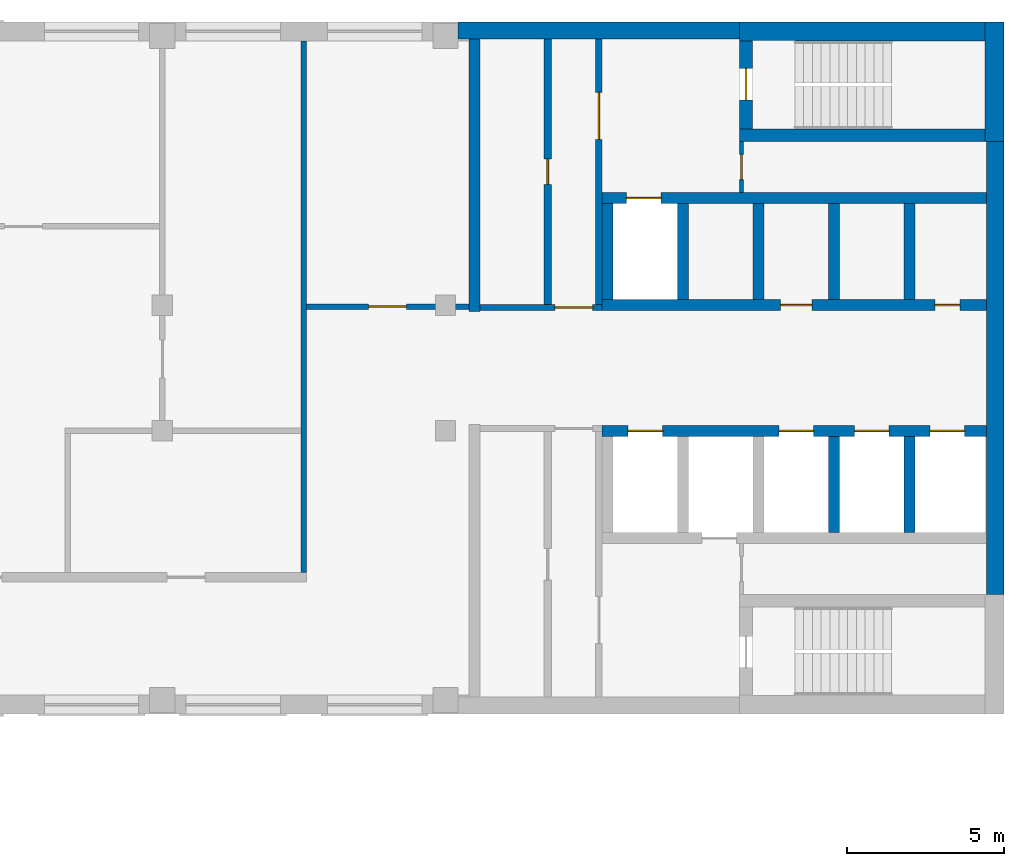
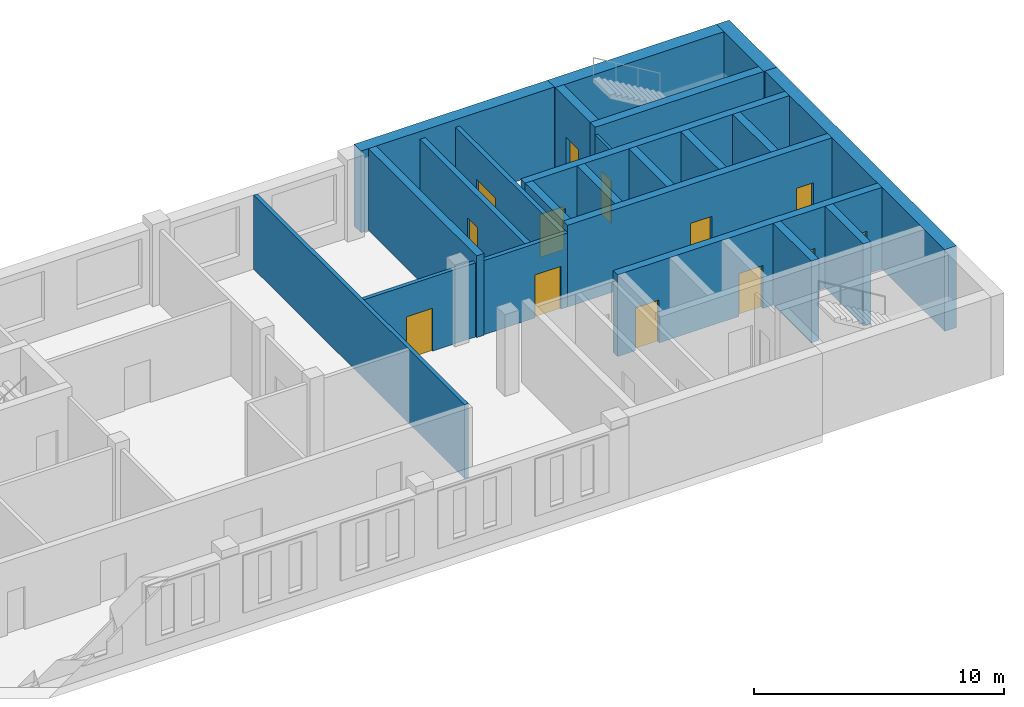
# One storey, part 6 of 8: 23 walls, 13 doors, 13 openings.
"""IFC4 building model written with IfcOpenShell, lengths in metres."""

from ifc_helpers import new_model, si_unit, direction, frame, frame_2d, origin, place, context, subcontext, project, spatial, rectangle, extrude, material, layer, layer_set, type_object, element, fill, save


model = new_model("IFC4")

# Units and contexts
model_context = context("Model", 3, precision=1e-05, world=origin(), true_north=direction((0.0, 1.0)))
body_context = subcontext(model_context, "Body", "Model", "MODEL_VIEW")
ifc_project = project(units=[si_unit("LENGTHUNIT", "METRE"), si_unit("AREAUNIT", "SQUARE_METRE"), si_unit("VOLUMEUNIT", "CUBIC_METRE"), si_unit("PLANEANGLEUNIT", "RADIAN"), si_unit("MASSUNIT", "GRAM", prefix="KILO")], contexts=[model_context])

# Site, building, storey
site_placement = place(None, origin())
site = spatial("IfcSite", under=ifc_project, at=site_placement, CompositionType="ELEMENT")
building_placement = place(site_placement, origin())
building = spatial("IfcBuilding", under=site, at=building_placement, Name="Skarvind Civic Tower", CompositionType="ELEMENT")
storey_placement = place(building_placement, frame((0.0, 0.0, 174.5)))
storey = spatial("IfcBuildingStorey", under=building, at=storey_placement, Name="L41", CompositionType="ELEMENT", Elevation=174.5)

# Wall
ifc_material_1 = material(Name="Acoustic gypsum board on steel studs", Category="steel")
ifc_layer_1 = layer(ifc_material_1, 0.175048828125)
ifc_layer_set_1 = layer_set([ifc_layer_1], Name="ACOUSTIC MEETING-ROOM PARTITION 175")
wall_type_1 = type_object("IfcWallType", Name="ACOUSTIC MEETING-ROOM PARTITION 175", PredefinedType="PARTITIONING", material=ifc_layer_set_1)
wall_1_placement = place(storey_placement, frame((85.75, 121.5, 0.0), z_axis=(0.0, 0.0, 1.0), x_axis=(0.0, 1.0, 0.0)))
element("IfcWall", 1, at=wall_1_placement, inside=storey, type_object=wall_type_1, Name="Partition 41.039", PredefinedType="PARTITIONING", context=body_context, shape_type="SweptSolid", body=[
    extrude(rectangle(XDim=16.89990234375, YDim=0.175048828125, at=frame_2d((8.449951171875, 0.0))), origin(), (0.0, 0.0, 1.0), 3.625),
])

# Wall, opening, door
wall_2_placement = place(storey_placement, frame((85.837890625, 129.949951171875, 0.0), z_axis=(0.0, 0.0, 1.0), x_axis=(1.0, 0.0, 0.0)))
wall_2 = element("IfcWall", 2, at=wall_2_placement, inside=storey, type_object=wall_type_1, Name="Partition 41.040", PredefinedType="PARTITIONING", context=body_context, shape_type="SweptSolid", body=[
    extrude(rectangle(XDim=5.162109375, YDim=0.175048828125, at=frame_2d((2.5810546875, 0.0))), origin(), (0.0, 0.0, 1.0), 3.625),
])
opening_1_placement = place(wall_2_placement, frame((1.970947265625, 0.0, 0.0)))
opening_1 = element("IfcOpeningElement", 3, at=opening_1_placement, cuts=wall_2, Name="Opening L41-D001", PredefinedType="OPENING", context=body_context, shape_type="SweptSolid", body=[
    extrude(rectangle(XDim=1.199951171875, YDim=2.10009765625, at=frame_2d((0.60009765625, 1.050048828125))), frame((0.0, 0.097412109375, 0.0), z_axis=(0.0, -1.0, 0.0), x_axis=(1.0, 0.0, 0.0)), (0.0, 0.0, 1.0), 0.195068359375),
])
ifc_material_2 = material(Name="Timber door leaf", Category="wood")
door_type_1 = type_object("IfcDoorType", Name="DOOR 1200X2100 DOUBLE TIMBER", OperationType="NOTDEFINED", PredefinedType="DOOR", material=ifc_material_2)
door_1_placement = place(opening_1_placement, origin())
door_1 = element("IfcDoor", 4, at=door_1_placement, inside=storey, type_object=door_type_1, Name="Door L41-D001", OperationType="DOUBLE_DOOR_SINGLE_SWING", OverallHeight=2.10009765625, OverallWidth=1.199951171875, PredefinedType="DOOR", context=body_context, shape_type="SweptSolid", body=[
    extrude(rectangle(XDim=1.199951171875, YDim=2.10009765625, at=frame_2d((0.60009765625, 1.050048828125))), frame((0.0, 0.02490234375, 0.0), z_axis=(0.0, -1.0, 0.0), x_axis=(1.0, 0.0, 0.0)), (0.0, 0.0, 1.0), 0.050048828125),
])
fill(opening_1, door_1)

ifc_material_3 = material(Name="Fire-rated masonry partition", Category="masonry")
ifc_layer_2 = layer(ifc_material_3, 0.199951171875)
ifc_layer_set_2 = layer_set([ifc_layer_2], Name="Core enclosure wall 200")
wall_type_2 = type_object("IfcWallType", Name="Core enclosure wall 200", PredefinedType="PARTITIONING", material=ifc_layer_set_2)
wall_3_placement = place(storey_placement, frame((91.35009765625, 129.925048828125, 0.0), z_axis=(0.0, 0.0, 1.0), x_axis=(1.0, 0.0, 0.0)))
wall_3 = element("IfcWall", 5, at=wall_3_placement, inside=storey, type_object=wall_type_2, Name="Core wall C1", PredefinedType="PARTITIONING", context=body_context, shape_type="SweptSolid", body=[
    extrude(rectangle(XDim=3.875, YDim=0.199951171875, at=frame_2d((1.9375, 0.0))), origin(), (0.0, 0.0, 1.0), 3.625),
])
opening_2_placement = place(wall_3_placement, frame((2.375, 0.0, 0.0)))
opening_2 = element("IfcOpeningElement", 6, at=opening_2_placement, cuts=wall_3, Name="Opening D-L41-C1-12", PredefinedType="OPENING", context=body_context, shape_type="SweptSolid", body=[
    extrude(rectangle(XDim=1.199951171875, YDim=2.10009765625, at=frame_2d((0.60009765625, 1.050048828125))), frame((0.0, 0.10986328125, 0.0), z_axis=(0.0, -1.0, 0.0), x_axis=(1.0, 0.0, 0.0)), (0.0, 0.0, 1.0), 0.219970703125),
])
ifc_material_4 = material(Name="Fire-rated steel door", Category="steel")
door_type_2 = type_object("IfcDoorType", Name="Core lobby door 1200", OperationType="NOTDEFINED", PredefinedType="DOOR", material=ifc_material_4)
door_2_placement = place(opening_2_placement, origin())
door_2 = element("IfcDoor", 7, at=door_2_placement, inside=storey, type_object=door_type_2, Name="Fire door", OperationType="DOUBLE_DOOR_SINGLE_SWING", OverallHeight=2.10009765625, OverallWidth=1.199951171875, PredefinedType="DOOR", context=body_context, shape_type="SweptSolid", body=[
    extrude(rectangle(XDim=1.199951171875, YDim=2.10009765625, at=frame_2d((0.60009765625, 1.050048828125))), frame((0.0, 0.02490234375, 0.0), z_axis=(0.0, -1.0, 0.0), x_axis=(1.0, 0.0, 0.0)), (0.0, 0.0, 1.0), 0.050048828125),
])
fill(opening_2, door_2)

wall_4_placement = place(storey_placement, frame((95.125, 130.02490234375, 0.0), z_axis=(0.0, 0.0, 1.0), x_axis=(0.0, 1.0, 0.0)))
wall_4 = element("IfcWall", 8, at=wall_4_placement, inside=storey, type_object=wall_type_2, Name="Core wall C1", PredefinedType="PARTITIONING", context=body_context, shape_type="SweptSolid", body=[
    extrude(rectangle(XDim=8.425048828125, YDim=0.199951171875, at=frame_2d((4.21240234375, 0.0))), origin(), (0.0, 0.0, 1.0), 3.625),
])
opening_3_placement = place(wall_4_placement, frame((5.237548828125, 0.0, 0.0)))
opening_3 = element("IfcOpeningElement", 9, at=opening_3_placement, cuts=wall_4, Name="Opening D-L41-C1-13", PredefinedType="OPENING", context=body_context, shape_type="SweptSolid", body=[
    extrude(rectangle(XDim=1.5, YDim=2.10009765625, at=frame_2d((0.75, 1.050048828125))), frame((0.0, 0.10986328125, 0.0), z_axis=(0.0, -1.0, 0.0), x_axis=(1.0, 0.0, 0.0)), (0.0, 0.0, 1.0), 0.219970703125),
])
door_type_3 = type_object("IfcDoorType", Name="Fire door 1500", OperationType="NOTDEFINED", PredefinedType="DOOR", material=ifc_material_4)
door_3_placement = place(opening_3_placement, origin())
door_3 = element("IfcDoor", 10, at=door_3_placement, inside=storey, type_object=door_type_3, Name="Fire door", OperationType="DOUBLE_DOOR_SINGLE_SWING", OverallHeight=2.10009765625, OverallWidth=1.5, PredefinedType="DOOR", context=body_context, shape_type="SweptSolid", body=[
    extrude(rectangle(XDim=1.5, YDim=2.10009765625, at=frame_2d((0.75, 1.050048828125))), frame((0.0, 0.02490234375, 0.0), z_axis=(0.0, -1.0, 0.0), x_axis=(1.0, 0.0, 0.0)), (0.0, 0.0, 1.0), 0.050048828125),
])
fill(opening_3, door_3)

# Wall, openings, doors
ifc_material_5 = material(Name="Concrete C60", Category="concrete")
ifc_layer_3 = layer(ifc_material_5, 0.35009765625)
ifc_layer_set_3 = layer_set([ifc_layer_3], Name="Core wall 350 C60")
wall_type_3 = type_object("IfcWallType", Name="Core wall 350 C60", PredefinedType="SHEAR", material=ifc_layer_set_3)
wall_5_placement = place(storey_placement, frame((107.449951171875, 130.0, 0.0), z_axis=(0.0, 0.0, 1.0), x_axis=(-1.0, 0.0, 0.0)))
wall_5 = element("IfcWall", 11, at=wall_5_placement, inside=storey, type_object=wall_type_3, Name="Core wall C1 south lift row front L41", PredefinedType="SHEAR", context=body_context, shape_type="SweptSolid", body=[
    extrude(rectangle(XDim=12.224853515625, YDim=0.35009765625, at=frame_2d((6.1123046875, 0.0))), origin(), (0.0, 0.0, 1.0), 4.0),
])
opening_4_placement = place(wall_5_placement, frame((0.85009765625, 0.0, 0.0)))
opening_4 = element("IfcOpeningElement", 12, at=opening_4_placement, cuts=wall_5, Name="Opening D-L41-C1-05", PredefinedType="OPENING", context=body_context, shape_type="SweptSolid", body=[
    extrude(rectangle(XDim=0.800048828125, YDim=2.10009765625, at=frame_2d((0.39990234375, 1.050048828125))), frame((0.0, 0.18505859375, 0.0), z_axis=(0.0, -1.0, 0.0), x_axis=(1.0, 0.0, 0.0)), (0.0, 0.0, 1.0), 0.3701171875),
])
opening_5_placement = place(wall_5_placement, frame((5.550048828125, 0.0, 0.0)))
opening_5 = element("IfcOpeningElement", 13, at=opening_5_placement, cuts=wall_5, Name="Opening D-L41-C1-06", PredefinedType="OPENING", context=body_context, shape_type="SweptSolid", body=[
    extrude(rectangle(XDim=1.0, YDim=2.10009765625, at=frame_2d((0.5, 1.050048828125))), frame((0.0, 0.18505859375, 0.0), z_axis=(0.0, -1.0, 0.0), x_axis=(1.0, 0.0, 0.0)), (0.0, 0.0, 1.0), 0.3701171875),
])
door_type_4 = type_object("IfcDoorType", Name="Core riser door 800", OperationType="NOTDEFINED", PredefinedType="DOOR", material=ifc_material_4)
door_4_placement = place(opening_4_placement, origin())
door_4 = element("IfcDoor", 14, at=door_4_placement, inside=storey, type_object=door_type_4, Name="Riser door", OperationType="SINGLE_SWING_LEFT", OverallHeight=2.10009765625, OverallWidth=0.800048828125, PredefinedType="DOOR", context=body_context, shape_type="SweptSolid", body=[
    extrude(rectangle(XDim=0.800048828125, YDim=2.10009765625, at=frame_2d((0.39990234375, 1.050048828125))), frame((0.0, 0.02490234375, 0.0), z_axis=(0.0, -1.0, 0.0), x_axis=(1.0, 0.0, 0.0)), (0.0, 0.0, 1.0), 0.050048828125),
])
fill(opening_4, door_4)
door_type_5 = type_object("IfcDoorType", Name="Fire door 1000", OperationType="NOTDEFINED", PredefinedType="DOOR", material=ifc_material_4)
door_5_placement = place(opening_5_placement, origin())
door_5 = element("IfcDoor", 15, at=door_5_placement, inside=storey, type_object=door_type_5, Name="Fire door", OperationType="SINGLE_SWING_RIGHT", OverallHeight=2.10009765625, OverallWidth=1.0, PredefinedType="DOOR", context=body_context, shape_type="SweptSolid", body=[
    extrude(rectangle(XDim=1.0, YDim=2.10009765625, at=frame_2d((0.5, 1.050048828125))), frame((0.0, 0.02490234375, 0.0), z_axis=(0.0, -1.0, 0.0), x_axis=(1.0, 0.0, 0.0)), (0.0, 0.0, 1.0), 0.050048828125),
])
fill(opening_5, door_5)

# Wall, opening, door
wall_6_placement = place(storey_placement, frame((107.449951171875, 133.39990234375, 0.0), z_axis=(0.0, 0.0, 1.0), x_axis=(-1.0, 0.0, 0.0)))
wall_6 = element("IfcWall", 16, at=wall_6_placement, inside=storey, type_object=wall_type_3, Name="Core wall C1 south lift row back L41", PredefinedType="SHEAR", context=body_context, shape_type="SweptSolid", body=[
    extrude(rectangle(XDim=12.224853515625, YDim=0.35009765625, at=frame_2d((6.1123046875, 0.0))), origin(), (0.0, 0.0, 1.0), 4.0),
])
opening_6_placement = place(wall_6_placement, frame((10.35009765625, 0.0, 0.0)))
opening_6 = element("IfcOpeningElement", 17, at=opening_6_placement, cuts=wall_6, Name="Opening LD43110", PredefinedType="OPENING", context=body_context, shape_type="SweptSolid", body=[
    extrude(rectangle(XDim=1.10009765625, YDim=2.10009765625, at=frame_2d((0.550048828125, 1.050048828125))), frame((0.0, 0.18505859375, 0.0), z_axis=(0.0, -1.0, 0.0), x_axis=(1.0, 0.0, 0.0)), (0.0, 0.0, 1.0), 0.3701171875),
])
ifc_material_6 = material(Name="Stainless steel landing door", Category="steel")
door_type_6 = type_object("IfcDoorType", Name="Lift landing door 1100", OperationType="DOUBLE_DOOR_SLIDING", PredefinedType="DOOR", material=ifc_material_6)
door_6_placement = place(opening_6_placement, origin())
door_6 = element("IfcDoor", 18, at=door_6_placement, inside=storey, type_object=door_type_6, Name="Lift landing door", OperationType="DOUBLE_DOOR_SLIDING", OverallHeight=2.10009765625, OverallWidth=1.10009765625, PredefinedType="DOOR", context=body_context, shape_type="SweptSolid", body=[
    extrude(rectangle(XDim=1.10009765625, YDim=2.10009765625, at=frame_2d((0.550048828125, 1.050048828125))), frame((0.0, 0.02490234375, 0.0), z_axis=(0.0, -1.0, 0.0), x_axis=(1.0, 0.0, 0.0)), (0.0, 0.0, 1.0), 0.050048828125),
])
fill(opening_6, door_6)

# Walls
for number, where, z_axis, x_axis, name in (
    (19, (105.0, 133.22509765625, 0.0), (0.0, 0.0, 1.0), (0.0, -1.0, 0.0), "Core wall C1 south lift row division 1 L41"),
    (20, (102.60009765625, 133.22509765625, 0.0), (0.0, 0.0, 1.0), (0.0, -1.0, 0.0), "Core wall C1 south lift row division 2 L41"),
    (21, (100.199951171875, 133.22509765625, 0.0), (0.0, 0.0, 1.0), (0.0, -1.0, 0.0), "Core wall C1 south lift row division 3 L41"),
    (22, (97.800048828125, 133.22509765625, 0.0), (0.0, 0.0, 1.0), (0.0, -1.0, 0.0), "Core wall C1 south lift row division 4 L41"),
    (23, (95.39990234375, 133.22509765625, 0.0), (0.0, 0.0, 1.0), (0.0, -1.0, 0.0), "Core wall C1 south lift row division 5 L41"),
):
    element("IfcWall", number, at=place(storey_placement, frame(where, z_axis=z_axis, x_axis=x_axis)), inside=storey, type_object=wall_type_3, Name=name, PredefinedType="SHEAR", context=body_context, shape_type="SweptSolid", body=[
        extrude(rectangle(XDim=3.050048828125, YDim=0.35009765625, at=frame_2d((1.52490234375, 0.0))), origin(), (0.0, 0.0, 1.0), 4.0),
    ])

# Wall, openings, doors
wall_7_placement = place(storey_placement, frame((107.449951171875, 126.0, 0.0), z_axis=(0.0, 0.0, 1.0), x_axis=(-1.0, 0.0, 0.0)))
wall_7 = element("IfcWall", 24, at=wall_7_placement, inside=storey, type_object=wall_type_3, Name="Core wall C1 north lift row front L41", PredefinedType="SHEAR", context=body_context, shape_type="SweptSolid", body=[
    extrude(rectangle(XDim=12.224853515625, YDim=0.35009765625, at=frame_2d((6.1123046875, 0.0))), origin(), (0.0, 0.0, 1.0), 4.0),
])
opening_7_placement = place(wall_7_placement, frame((0.699951171875, 0.0, 0.0)))
opening_7 = element("IfcOpeningElement", 25, at=opening_7_placement, cuts=wall_7, Name="Opening LD43101", PredefinedType="OPENING", context=body_context, shape_type="SweptSolid", body=[
    extrude(rectangle(XDim=1.10009765625, YDim=2.10009765625, at=frame_2d((0.550048828125, 1.050048828125))), frame((0.0, 0.18505859375, 0.0), z_axis=(0.0, -1.0, 0.0), x_axis=(1.0, 0.0, 0.0)), (0.0, 0.0, 1.0), 0.3701171875),
])
opening_8_placement = place(wall_7_placement, frame((3.10009765625, 0.0, 0.0)))
opening_8 = element("IfcOpeningElement", 26, at=opening_8_placement, cuts=wall_7, Name="Opening LD43102", PredefinedType="OPENING", context=body_context, shape_type="SweptSolid", body=[
    extrude(rectangle(XDim=1.10009765625, YDim=2.10009765625, at=frame_2d((0.550048828125, 1.050048828125))), frame((0.0, 0.18505859375, 0.0), z_axis=(0.0, -1.0, 0.0), x_axis=(1.0, 0.0, 0.0)), (0.0, 0.0, 1.0), 0.3701171875),
])
opening_9_placement = place(wall_7_placement, frame((5.5, 0.0, 0.0)))
opening_9 = element("IfcOpeningElement", 27, at=opening_9_placement, cuts=wall_7, Name="Opening LD43103", PredefinedType="OPENING", context=body_context, shape_type="SweptSolid", body=[
    extrude(rectangle(XDim=1.10009765625, YDim=2.10009765625, at=frame_2d((0.550048828125, 1.050048828125))), frame((0.0, 0.18505859375, 0.0), z_axis=(0.0, -1.0, 0.0), x_axis=(1.0, 0.0, 0.0)), (0.0, 0.0, 1.0), 0.3701171875),
])
opening_10_placement = place(wall_7_placement, frame((10.300048828125, 0.0, 0.0)))
opening_10 = element("IfcOpeningElement", 28, at=opening_10_placement, cuts=wall_7, Name="Opening LD43105", PredefinedType="OPENING", context=body_context, shape_type="SweptSolid", body=[
    extrude(rectangle(XDim=1.10009765625, YDim=2.10009765625, at=frame_2d((0.550048828125, 1.050048828125))), frame((0.0, 0.18505859375, 0.0), z_axis=(0.0, -1.0, 0.0), x_axis=(1.0, 0.0, 0.0)), (0.0, 0.0, 1.0), 0.3701171875),
])
door_7_placement = place(opening_7_placement, origin())
door_7 = element("IfcDoor", 29, at=door_7_placement, inside=storey, type_object=door_type_6, Name="Lift landing door", OperationType="DOUBLE_DOOR_SLIDING", OverallHeight=2.10009765625, OverallWidth=1.10009765625, PredefinedType="DOOR", context=body_context, shape_type="SweptSolid", body=[
    extrude(rectangle(XDim=1.10009765625, YDim=2.10009765625, at=frame_2d((0.550048828125, 1.050048828125))), frame((0.0, 0.02490234375, 0.0), z_axis=(0.0, -1.0, 0.0), x_axis=(1.0, 0.0, 0.0)), (0.0, 0.0, 1.0), 0.050048828125),
])
fill(opening_7, door_7)
door_8_placement = place(opening_8_placement, origin())
door_8 = element("IfcDoor", 30, at=door_8_placement, inside=storey, type_object=door_type_6, Name="Lift landing door", OperationType="DOUBLE_DOOR_SLIDING", OverallHeight=2.10009765625, OverallWidth=1.10009765625, PredefinedType="DOOR", context=body_context, shape_type="SweptSolid", body=[
    extrude(rectangle(XDim=1.10009765625, YDim=2.10009765625, at=frame_2d((0.550048828125, 1.050048828125))), frame((0.0, 0.02490234375, 0.0), z_axis=(0.0, -1.0, 0.0), x_axis=(1.0, 0.0, 0.0)), (0.0, 0.0, 1.0), 0.050048828125),
])
fill(opening_8, door_8)
door_9_placement = place(opening_9_placement, origin())
door_9 = element("IfcDoor", 31, at=door_9_placement, inside=storey, type_object=door_type_6, Name="Lift landing door", OperationType="DOUBLE_DOOR_SLIDING", OverallHeight=2.10009765625, OverallWidth=1.10009765625, PredefinedType="DOOR", context=body_context, shape_type="SweptSolid", body=[
    extrude(rectangle(XDim=1.10009765625, YDim=2.10009765625, at=frame_2d((0.550048828125, 1.050048828125))), frame((0.0, 0.02490234375, 0.0), z_axis=(0.0, -1.0, 0.0), x_axis=(1.0, 0.0, 0.0)), (0.0, 0.0, 1.0), 0.050048828125),
])
fill(opening_9, door_9)
door_10_placement = place(opening_10_placement, origin())
door_10 = element("IfcDoor", 32, at=door_10_placement, inside=storey, type_object=door_type_6, Name="Lift landing door", OperationType="DOUBLE_DOOR_SLIDING", OverallHeight=2.10009765625, OverallWidth=1.10009765625, PredefinedType="DOOR", context=body_context, shape_type="SweptSolid", body=[
    extrude(rectangle(XDim=1.10009765625, YDim=2.10009765625, at=frame_2d((0.550048828125, 1.050048828125))), frame((0.0, 0.02490234375, 0.0), z_axis=(0.0, -1.0, 0.0), x_axis=(1.0, 0.0, 0.0)), (0.0, 0.0, 1.0), 0.050048828125),
])
fill(opening_10, door_10)

# Walls
for number, where, z_axis, x_axis, name in (
    (33, (105.0, 125.824951171875, 0.0), (0.0, 0.0, 1.0), (0.0, -1.0, 0.0), "Core wall C1 north lift row division 1 L41"),
    (34, (102.60009765625, 125.824951171875, 0.0), (0.0, 0.0, 1.0), (0.0, -1.0, 0.0), "Core wall C1 north lift row division 2 L41"),
):
    element("IfcWall", number, at=place(storey_placement, frame(where, z_axis=z_axis, x_axis=x_axis)), inside=storey, type_object=wall_type_3, Name=name, PredefinedType="SHEAR", context=body_context, shape_type="SweptSolid", body=[
        extrude(rectangle(XDim=3.050048828125, YDim=0.35009765625, at=frame_2d((1.52490234375, 0.0))), origin(), (0.0, 0.0, 1.0), 4.0),
    ])
wall_8_placement = place(storey_placement, frame((91.175048828125, 138.449951171875, 0.0), z_axis=(0.0, 0.0, 1.0), x_axis=(0.0, -1.0, 0.0)))
element("IfcWall", 35, at=wall_8_placement, inside=storey, type_object=wall_type_3, Name="Core wall C1 south inner face L41", PredefinedType="SHEAR", context=body_context, shape_type="SweptSolid", body=[
    extrude(rectangle(XDim=8.64990234375, YDim=0.35009765625, at=frame_2d((4.324951171875, 0.0))), origin(), (0.0, 0.0, 1.0), 4.0),
])
ifc_layer_4 = layer(ifc_material_5, 0.39990234375)
ifc_layer_set_4 = layer_set([ifc_layer_4], Name="Core wall 400 C60")
wall_type_4 = type_object("IfcWallType", Name="Core wall 400 C60", PredefinedType="SHEAR", material=ifc_layer_set_4)
wall_9_placement = place(storey_placement, frame((107.39990234375, 135.39990234375, 0.0), z_axis=(0.0, 0.0, 1.0), x_axis=(-1.0, 0.0, 0.0)))
element("IfcWall", 36, at=wall_9_placement, inside=storey, type_object=wall_type_4, Name="Core wall C1 south stair inner L41", PredefinedType="SHEAR", context=body_context, shape_type="SweptSolid", body=[
    extrude(rectangle(XDim=7.7998046875, YDim=0.39990234375, at=frame_2d((3.89990234375, 0.0))), origin(), (0.0, 0.0, 1.0), 4.0),
])

# Wall, opening, door
wall_10_placement = place(storey_placement, frame((99.800048828125, 138.39990234375, 0.0), z_axis=(0.0, 0.0, 1.0), x_axis=(0.0, -1.0, 0.0)))
wall_10 = element("IfcWall", 37, at=wall_10_placement, inside=storey, type_object=wall_type_4, Name="Core wall C1 south stair end L41", PredefinedType="SHEAR", context=body_context, shape_type="SweptSolid", body=[
    extrude(rectangle(XDim=2.7998046875, YDim=0.39990234375, at=frame_2d((1.39990234375, 0.0))), origin(), (0.0, 0.0, 1.0), 4.0),
])
opening_11_placement = place(wall_10_placement, frame((0.875, 0.0, 0.0)))
opening_11 = element("IfcOpeningElement", 38, at=opening_11_placement, cuts=wall_10, Name="Opening D-L41-C1-14", PredefinedType="OPENING", context=body_context, shape_type="SweptSolid", body=[
    extrude(rectangle(XDim=1.0, YDim=2.10009765625, at=frame_2d((0.5, 1.050048828125))), frame((0.0, 0.2099609375, 0.0), z_axis=(0.0, -1.0, 0.0), x_axis=(1.0, 0.0, 0.0)), (0.0, 0.0, 1.0), 0.419921875),
])
door_11_placement = place(opening_11_placement, origin())
door_11 = element("IfcDoor", 39, at=door_11_placement, inside=storey, type_object=door_type_5, Name="Fire door", OperationType="SINGLE_SWING_RIGHT", OverallHeight=2.10009765625, OverallWidth=1.0, PredefinedType="DOOR", context=body_context, shape_type="SweptSolid", body=[
    extrude(rectangle(XDim=1.0, YDim=2.10009765625, at=frame_2d((0.5, 1.050048828125))), frame((0.0, 0.02490234375, 0.0), z_axis=(0.0, -1.0, 0.0), x_axis=(1.0, 0.0, 0.0)), (0.0, 0.0, 1.0), 0.050048828125),
])
fill(opening_11, door_11)

# Walls
ifc_layer_5 = layer(ifc_material_5, 0.550048828125)
ifc_layer_set_5 = layer_set([ifc_layer_5], Name="Core wall 550 C60")
wall_type_5 = type_object("IfcWallType", Name="Core wall 550 C60", PredefinedType="SHEAR", material=ifc_layer_set_5)
wall_11_placement = place(storey_placement, frame((107.72509765625, 135.199951171875, 0.0), z_axis=(0.0, 0.0, 1.0), x_axis=(0.0, -1.0, 0.0)))
element("IfcWall", 40, at=wall_11_placement, inside=storey, type_object=wall_type_5, Name="Core wall C1 tip between the stairs L41", PredefinedType="SHEAR", context=body_context, shape_type="SweptSolid", body=[
    extrude(rectangle(XDim=14.39990234375, YDim=0.550048828125, at=frame_2d((7.199951171875, 0.0))), origin(), (0.0, 0.0, 1.0), 4.0),
])
wall_12_placement = place(storey_placement, frame((99.60009765625, 138.72509765625, 0.0), z_axis=(0.0, 0.0, 1.0), x_axis=(-1.0, 0.0, 0.0)))
element("IfcWall", 41, at=wall_12_placement, inside=storey, type_object=wall_type_5, Name="Core wall C1 south side L41", PredefinedType="SHEAR", context=body_context, shape_type="SweptSolid", body=[
    extrude(rectangle(XDim=8.9501953125, YDim=0.550048828125, at=frame_2d((4.47509765625, 0.0))), origin(), (0.0, 0.0, 1.0), 4.0),
])
ifc_layer_6 = layer(ifc_material_5, 0.60009765625)
ifc_layer_set_6 = layer_set([ifc_layer_6], Name="Core wall 600 C60")
wall_type_6 = type_object("IfcWallType", Name="Core wall 600 C60", PredefinedType="SHEAR", material=ifc_layer_set_6)
wall_13_placement = place(storey_placement, frame((107.699951171875, 139.0, 0.0), z_axis=(0.0, 0.0, 1.0), x_axis=(0.0, -1.0, 0.0)))
element("IfcWall", 42, at=wall_13_placement, inside=storey, type_object=wall_type_6, Name="Core wall C1 tip at the south stair L41", PredefinedType="SHEAR", context=body_context, shape_type="SweptSolid", body=[
    extrude(rectangle(XDim=3.800048828125, YDim=0.60009765625, at=frame_2d((1.89990234375, 0.0))), origin(), (0.0, 0.0, 1.0), 4.0),
])
wall_14_placement = place(storey_placement, frame((107.39990234375, 138.699951171875, 0.0), z_axis=(0.0, 0.0, 1.0), x_axis=(-1.0, 0.0, 0.0)))
element("IfcWall", 43, at=wall_14_placement, inside=storey, type_object=wall_type_6, Name="Core wall C1 south side at the stair L41", PredefinedType="SHEAR", context=body_context, shape_type="SweptSolid", body=[
    extrude(rectangle(XDim=7.7998046875, YDim=0.60009765625, at=frame_2d((3.89990234375, 0.0))), origin(), (0.0, 0.0, 1.0), 4.0),
])

# Wall, opening, door
ifc_layer_7 = layer(ifc_material_3, 0.125)
ifc_layer_set_7 = layer_set([ifc_layer_7], Name="Riser wall 125")
wall_type_7 = type_object("IfcWallType", Name="Riser wall 125", PredefinedType="PARTITIONING", material=ifc_layer_set_7)
wall_15_placement = place(storey_placement, frame((99.66259765625, 133.574951171875, 0.0), z_axis=(0.0, 0.0, 1.0), x_axis=(0.0, 1.0, 0.0)))
wall_15 = element("IfcWall", 44, at=wall_15_placement, inside=storey, type_object=wall_type_7, Name="Core wall C1", PredefinedType="PARTITIONING", context=body_context, shape_type="SweptSolid", body=[
    extrude(rectangle(XDim=1.625, YDim=0.125, at=frame_2d((0.8125, 0.0))), origin(), (0.0, 0.0, 1.0), 3.625),
])
opening_12_placement = place(wall_15_placement, frame((0.41259765625, 0.0, 0.0)))
opening_12 = element("IfcOpeningElement", 45, at=opening_12_placement, cuts=wall_15, Name="Opening D-L41-C1-15", PredefinedType="OPENING", context=body_context, shape_type="SweptSolid", body=[
    extrude(rectangle(XDim=0.800048828125, YDim=2.10009765625, at=frame_2d((0.39990234375, 1.050048828125))), frame((0.0, 0.072509765625, 0.0), z_axis=(0.0, -1.0, 0.0), x_axis=(1.0, 0.0, 0.0)), (0.0, 0.0, 1.0), 0.14501953125),
])
door_12_placement = place(opening_12_placement, origin())
door_12 = element("IfcDoor", 46, at=door_12_placement, inside=storey, type_object=door_type_4, Name="Riser door", OperationType="SINGLE_SWING_LEFT", OverallHeight=2.10009765625, OverallWidth=0.800048828125, PredefinedType="DOOR", context=body_context, shape_type="SweptSolid", body=[
    extrude(rectangle(XDim=0.800048828125, YDim=2.10009765625, at=frame_2d((0.39990234375, 1.050048828125))), frame((0.0, 0.02490234375, 0.0), z_axis=(0.0, -1.0, 0.0), x_axis=(1.0, 0.0, 0.0)), (0.0, 0.0, 1.0), 0.050048828125),
])
fill(opening_12, door_12)

ifc_layer_8 = layer(ifc_material_3, 0.25)
ifc_layer_set_8 = layer_set([ifc_layer_8], Name="Service block wall 250")
wall_type_8 = type_object("IfcWallType", Name="Service block wall 250", PredefinedType="PARTITIONING", material=ifc_layer_set_8)
wall_16_placement = place(storey_placement, frame((93.5, 130.02490234375, 0.0), z_axis=(0.0, 0.0, 1.0), x_axis=(0.0, 1.0, 0.0)))
wall_16 = element("IfcWall", 47, at=wall_16_placement, inside=storey, type_object=wall_type_8, Name="Core wall C1", PredefinedType="PARTITIONING", context=body_context, shape_type="SweptSolid", body=[
    extrude(rectangle(XDim=8.425048828125, YDim=0.25, at=frame_2d((4.21240234375, 0.0))), origin(), (0.0, 0.0, 1.0), 3.625),
])
opening_13_placement = place(wall_16_placement, frame((3.8125, 0.0, 0.0)))
opening_13 = element("IfcOpeningElement", 48, at=opening_13_placement, cuts=wall_16, Name="Opening D-L41-C1-16", PredefinedType="OPENING", context=body_context, shape_type="SweptSolid", body=[
    extrude(rectangle(XDim=0.800048828125, YDim=2.10009765625, at=frame_2d((0.39990234375, 1.050048828125))), frame((0.0, 0.135009765625, 0.0), z_axis=(0.0, -1.0, 0.0), x_axis=(1.0, 0.0, 0.0)), (0.0, 0.0, 1.0), 0.27001953125),
])
door_13_placement = place(opening_13_placement, origin())
door_13 = element("IfcDoor", 49, at=door_13_placement, inside=storey, type_object=door_type_4, Name="Riser door", OperationType="SINGLE_SWING_RIGHT", OverallHeight=2.10009765625, OverallWidth=0.800048828125, PredefinedType="DOOR", context=body_context, shape_type="SweptSolid", body=[
    extrude(rectangle(XDim=0.800048828125, YDim=2.10009765625, at=frame_2d((0.39990234375, 1.050048828125))), frame((0.0, 0.02490234375, 0.0), z_axis=(0.0, -1.0, 0.0), x_axis=(1.0, 0.0, 0.0)), (0.0, 0.0, 1.0), 0.050048828125),
])
fill(opening_13, door_13)

save(model, "model.ifc")
